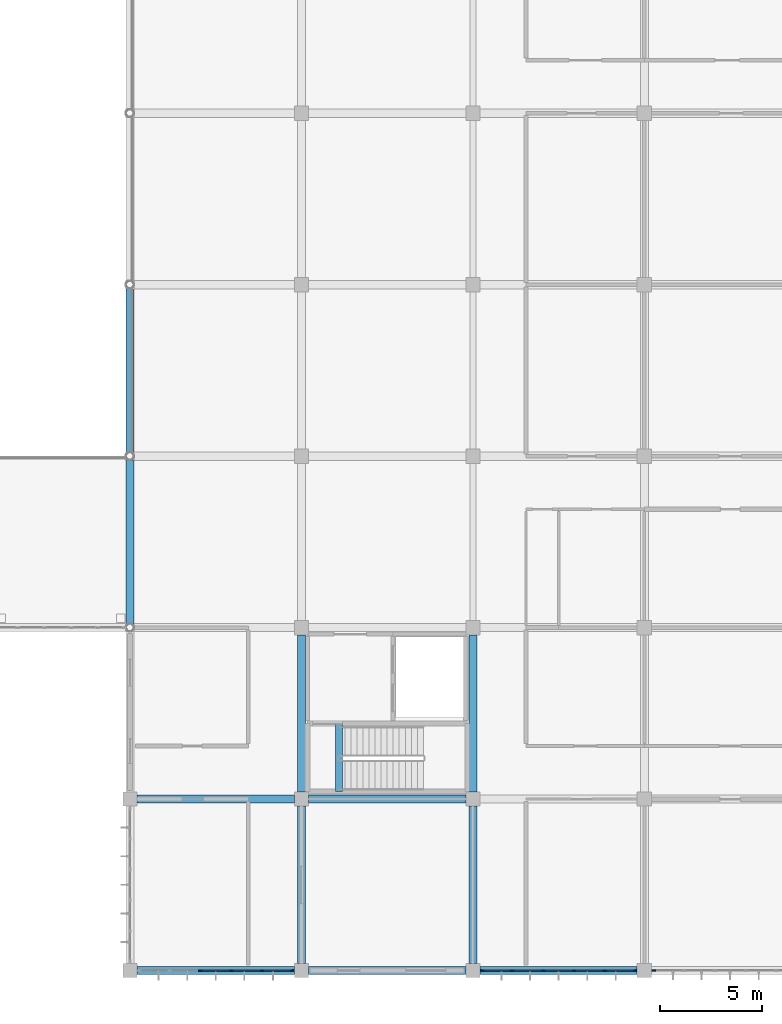
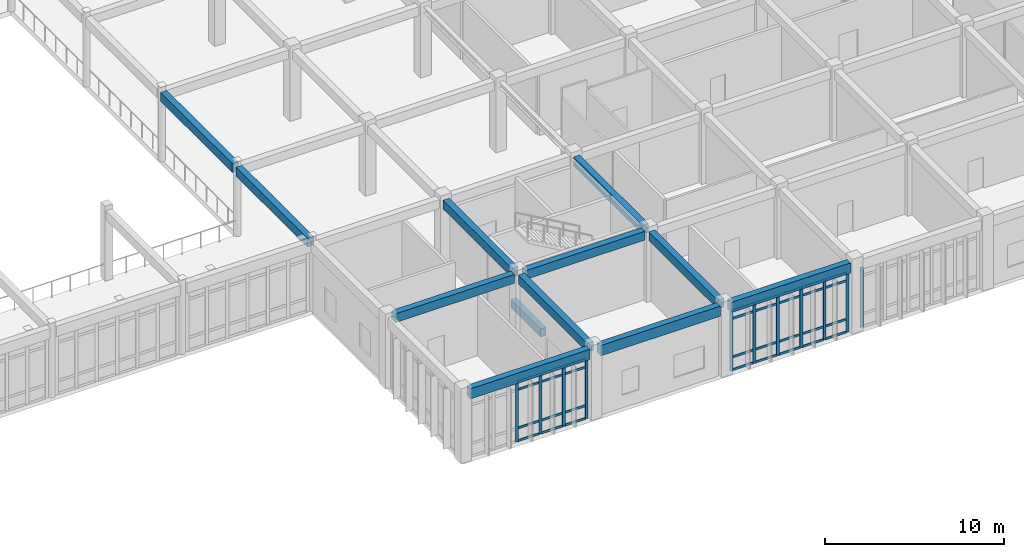
# One storey, part 22 of 134: 43 members, 12 beams, 3 elements without a shape of their own.
"""IFC4 building model written with IfcOpenShell, lengths in metres."""

from ifc_helpers import new_model, si_unit, direction, frame, origin, origin_2d, place, context, subcontext, project, spatial, rectangle, extrude, material, layer, layer_set, material_profile, profile_set, type_object, element, aggregate, save


model = new_model("IFC4")

# Units and contexts
model_context = context("Model", 3, precision=1e-05, world=origin(), true_north=direction((0.0, 1.0)))
body_context = subcontext(model_context, "Body", "Model", "MODEL_VIEW")
ifc_project = project(units=[si_unit("LENGTHUNIT", "METRE"), si_unit("AREAUNIT", "SQUARE_METRE"), si_unit("VOLUMEUNIT", "CUBIC_METRE"), si_unit("PLANEANGLEUNIT", "RADIAN"), si_unit("MASSUNIT", "GRAM", prefix="KILO")], contexts=[model_context])

# Site, building, storey
site_placement = place(None, origin())
site = spatial("IfcSite", under=ifc_project, at=site_placement, CompositionType="ELEMENT")
building_placement = place(site_placement, origin())
building = spatial("IfcBuilding", under=site, at=building_placement, Name="Bramfleet General Hospital", CompositionType="ELEMENT")
storey_placement = place(building_placement, frame((0.0, 0.0, 9.300048828125)))
storey = spatial("IfcBuildingStorey", under=building, at=storey_placement, Name="L02", CompositionType="ELEMENT", Elevation=9.300048828125)

# Beams
ifc_material_1 = material(Name="Concrete C35/45", Category="concrete")
ifc_material_profile_1 = material_profile(ifc_material_1, rectangle(XDim=0.35009765625, YDim=0.550048828125, at=origin_2d()), Name="RC BM 550x350")
ifc_profile_set_1 = profile_set([ifc_material_profile_1], Name="Concrete C35/45")
beam_type_1 = type_object("IfcBeamType", Name="BM-RC550", PredefinedType="BEAM", material=ifc_profile_set_1)
beam_1_placement = place(storey_placement, frame((102.639892578125, 8.780029296875, -0.275146484375), z_axis=(0.0, 1.0, 0.0), x_axis=(-1.0, 0.0, 0.0)))
element("IfcBeam", 1, at=beam_1_placement, inside=storey, type_object=beam_type_1, Name="L02 C3 Stairwell Trimmer Beam", PredefinedType="BEAM", context=body_context, shape_type="SweptSolid", body=[
    extrude(rectangle(XDim=0.35009765625, YDim=0.550048828125, at=origin_2d()), origin(), (0.0, 0.0, 1.0), 3.320068359375),
])
ifc_material_profile_2 = material_profile(ifc_material_1, rectangle(XDim=0.39990234375, YDim=0.60009765625, at=origin_2d()), Name="RC BM 600x400")
ifc_profile_set_2 = profile_set([ifc_material_profile_2], Name="Concrete C35/45")
beam_type_2 = type_object("IfcBeamType", Name="BM-RC600", PredefinedType="BEAM", material=ifc_profile_set_2)
beam_2_placement = place(storey_placement, frame((92.75, 8.39990234375, 4.47998046875), z_axis=(1.0, 0.0, 0.0), x_axis=(0.0, 1.0, 0.0)))
element("IfcBeam", 2, at=beam_2_placement, inside=storey, type_object=beam_type_2, Name="L02 Grid Beam X 11-01", PredefinedType="BEAM", context=body_context, shape_type="SweptSolid", body=[
    extrude(rectangle(XDim=0.39990234375, YDim=0.60009765625, at=origin_2d()), origin(), (0.0, 0.0, 1.0), 7.699951171875),
])
beam_3_placement = place(storey_placement, frame((101.14990234375, 8.39990234375, 4.47998046875), z_axis=(1.0, 0.0, 0.0), x_axis=(0.0, 1.0, 0.0)))
element("IfcBeam", 3, at=beam_3_placement, inside=storey, type_object=beam_type_2, Name="L02 Grid Beam X 12-01", PredefinedType="BEAM", context=body_context, shape_type="SweptSolid", body=[
    extrude(rectangle(XDim=0.39990234375, YDim=0.60009765625, at=origin_2d()), origin(), (0.0, 0.0, 1.0), 7.7001953125),
])
beam_4_placement = place(storey_placement, frame((92.39990234375, 17.003173828125, 4.47998046875), z_axis=(0.0, 1.0, 0.0), x_axis=(-1.0, 0.0, 0.0)))
element("IfcBeam", 4, at=beam_4_placement, inside=storey, type_object=beam_type_2, Name="L02 Grid Beam Y 11-02", PredefinedType="BEAM", context=body_context, shape_type="SweptSolid", body=[
    extrude(rectangle(XDim=0.39990234375, YDim=0.60009765625, at=origin_2d()), origin(), (0.0, 0.0, 1.0), 7.99365234375),
])
beam_5_placement = place(storey_placement, frame((92.39990234375, 25.4033203125, 4.47998046875), z_axis=(0.0, 1.0, 0.0), x_axis=(-1.0, 0.0, 0.0)))
element("IfcBeam", 5, at=beam_5_placement, inside=storey, type_object=beam_type_2, Name="L02 Grid Beam Y 11-03", PredefinedType="BEAM", context=body_context, shape_type="SweptSolid", body=[
    extrude(rectangle(XDim=0.39990234375, YDim=0.60009765625, at=origin_2d()), origin(), (0.0, 0.0, 1.0), 7.993408203125),
])
for number, where, z_axis, x_axis, name in (
    (6, (100.800048828125, 0.35009765625, 4.47998046875), (0.0, 1.0, 0.0), (-1.0, 0.0, 0.0), "L02 Grid Beam Y 12-00"),
    (7, (100.800048828125, 8.75, 4.47998046875), (0.0, 1.0, 0.0), (-1.0, 0.0, 0.0), "L02 Grid Beam Y 12-01"),
    (8, (109.199951171875, 0.35009765625, 4.47998046875), (0.0, 1.0, 0.0), (-1.0, 0.0, 0.0), "L02 Grid Beam Y 13-00"),
    (9, (109.199951171875, 8.75, 4.47998046875), (0.0, 1.0, 0.0), (-1.0, 0.0, 0.0), "L02 Grid Beam Y 13-01"),
):
    element("IfcBeam", number, at=place(storey_placement, frame(where, z_axis=z_axis, x_axis=x_axis)), inside=storey, type_object=beam_type_2, Name=name, PredefinedType="BEAM", context=body_context, shape_type="SweptSolid", body=[
        extrude(rectangle(XDim=0.39990234375, YDim=0.60009765625, at=origin_2d()), origin(), (0.0, 0.0, 1.0), 7.699951171875),
    ])
ifc_material_profile_3 = material_profile(ifc_material_1, rectangle(XDim=0.39990234375, YDim=0.699951171875, at=origin_2d()), Name="RC SP 700x400")
ifc_profile_set_3 = profile_set([ifc_material_profile_3], Name="Concrete C35/45")
beam_type_3 = type_object("IfcBeamType", Name="BM-SP700", PredefinedType="SPANDREL", material=ifc_profile_set_3)
beam_6_placement = place(storey_placement, frame((92.75, 0.0, 4.429931640625), z_axis=(1.0, 0.0, 0.0), x_axis=(0.0, 1.0, 0.0)))
element("IfcBeam", 10, at=beam_6_placement, inside=storey, type_object=beam_type_3, Name="L02 Grid Beam X 11-00", PredefinedType="SPANDREL", context=body_context, shape_type="SweptSolid", body=[
    extrude(rectangle(XDim=0.39990234375, YDim=0.699951171875, at=origin_2d()), origin(), (0.0, 0.0, 1.0), 7.699951171875),
])
beam_7_placement = place(storey_placement, frame((101.14990234375, 0.0, 4.429931640625), z_axis=(1.0, 0.0, 0.0), x_axis=(0.0, 1.0, 0.0)))
element("IfcBeam", 11, at=beam_7_placement, inside=storey, type_object=beam_type_3, Name="L02 Grid Beam X 12-00", PredefinedType="SPANDREL", context=body_context, shape_type="SweptSolid", body=[
    extrude(rectangle(XDim=0.39990234375, YDim=0.699951171875, at=origin_2d()), origin(), (0.0, 0.0, 1.0), 7.7001953125),
])
beam_8_placement = place(storey_placement, frame((109.550048828125, 0.0, 4.429931640625), z_axis=(1.0, 0.0, 0.0), x_axis=(0.0, 1.0, 0.0)))
element("IfcBeam", 12, at=beam_8_placement, inside=storey, type_object=beam_type_3, Name="L02 Grid Beam X 13-00", PredefinedType="SPANDREL", context=body_context, shape_type="SweptSolid", body=[
    extrude(rectangle(XDim=0.39990234375, YDim=0.699951171875, at=origin_2d()), origin(), (0.0, 0.0, 1.0), 7.699951171875),
])

# Curtain wall, member
ifc_material_2 = material(Name="Anodised aluminium and low-E triple glazing", Category="aluminium")
ifc_layer_1 = layer(ifc_material_2, 0.179931640625, Name="CWT-CW-17")
ifc_layer_set_1 = layer_set([ifc_layer_1], Name="Anodised aluminium and low-E triple glazing")
curtain_wall_type_1 = type_object("IfcCurtainWallType", Name="CWT-CW-17", PredefinedType="USERDEFINED", material=ifc_layer_set_1)
curtain_wall_1_placement = place(storey_placement, origin())
curtain_wall_1 = element("IfcCurtainWall", 13, at=curtain_wall_1_placement, inside=storey, type_object=curtain_wall_type_1, Name="L02 Curtain Wall 125", ObjectType="Stick curtain wall", PredefinedType="USERDEFINED")
ifc_material_3 = material(Name="Structural timber GL28h", Category="wood")
ifc_material_profile_4 = material_profile(ifc_material_3, rectangle(XDim=0.070068359375, YDim=0.18994140625, at=origin_2d()), Name="LARCH 190x70")
ifc_profile_set_4 = profile_set([ifc_material_profile_4], Name="Structural timber GL28h")
member_type_1 = type_object("IfcMemberType", Name="CWM-LARCH450", PredefinedType="MULLION", material=ifc_profile_set_4)
member_1_placement = place(storey_placement, frame((118.06005859375, 0.0, 0.0), z_axis=(0.0, 0.0, 1.0), x_axis=(0.0, -1.0, 0.0)))
member_1 = element("IfcMember", 14, at=member_1_placement, type_object=member_type_1, Name="CW-17 mullion 6", PredefinedType="MULLION", context=body_context, shape_type="SweptSolid", body=[
    extrude(rectangle(XDim=0.070068359375, YDim=0.18994140625, at=origin_2d()), origin(), (0.0, 0.0, 1.0), 4.070068359375),
])
aggregate(curtain_wall_1, [member_1])

# Curtain wall, members
ifc_layer_2 = layer(ifc_material_2, 0.179931640625, Name="CWT-CW-18")
ifc_layer_set_2 = layer_set([ifc_layer_2], Name="Anodised aluminium and low-E triple glazing")
curtain_wall_type_2 = type_object("IfcCurtainWallType", Name="CWT-CW-18", PredefinedType="USERDEFINED", material=ifc_layer_set_2)
curtain_wall_2_placement = place(storey_placement, origin())
curtain_wall_2 = element("IfcCurtainWall", 15, at=curtain_wall_2_placement, inside=storey, type_object=curtain_wall_type_2, Name="L02 Curtain Wall 126", ObjectType="Stick curtain wall", PredefinedType="USERDEFINED")
member_2_placement = place(storey_placement, frame((117.139892578125, 0.0, 0.0), z_axis=(0.0, 0.0, 1.0), x_axis=(0.0, -1.0, 0.0)))
member_2 = element("IfcMember", 16, at=member_2_placement, type_object=member_type_1, Name="CW-18 mullion 1", PredefinedType="MULLION", context=body_context, shape_type="SweptSolid", body=[
    extrude(rectangle(XDim=0.070068359375, YDim=0.18994140625, at=origin_2d()), origin(), (0.0, 0.0, 1.0), 4.070068359375),
])
member_3_placement = place(storey_placement, frame((115.6650390625, 0.0, 0.0), z_axis=(0.0, 0.0, 1.0), x_axis=(0.0, -1.0, 0.0)))
member_3 = element("IfcMember", 17, at=member_3_placement, type_object=member_type_1, Name="CW-18 mullion 2", PredefinedType="MULLION", context=body_context, shape_type="SweptSolid", body=[
    extrude(rectangle(XDim=0.070068359375, YDim=0.18994140625, at=origin_2d()), origin(), (0.0, 0.0, 1.0), 4.070068359375),
])
member_4_placement = place(storey_placement, frame((114.155029296875, 0.0, 0.0), z_axis=(0.0, 0.0, 1.0), x_axis=(0.0, -1.0, 0.0)))
member_4 = element("IfcMember", 18, at=member_4_placement, type_object=member_type_1, Name="CW-18 mullion 3", PredefinedType="MULLION", context=body_context, shape_type="SweptSolid", body=[
    extrude(rectangle(XDim=0.070068359375, YDim=0.18994140625, at=origin_2d()), origin(), (0.0, 0.0, 1.0), 4.070068359375),
])
member_5_placement = place(storey_placement, frame((112.64501953125, 0.0, 0.0), z_axis=(0.0, 0.0, 1.0), x_axis=(0.0, -1.0, 0.0)))
member_5 = element("IfcMember", 19, at=member_5_placement, type_object=member_type_1, Name="CW-18 mullion 4", PredefinedType="MULLION", context=body_context, shape_type="SweptSolid", body=[
    extrude(rectangle(XDim=0.070068359375, YDim=0.18994140625, at=origin_2d()), origin(), (0.0, 0.0, 1.0), 4.070068359375),
])
member_6_placement = place(storey_placement, frame((111.135009765625, 0.0, 0.0), z_axis=(0.0, 0.0, 1.0), x_axis=(0.0, -1.0, 0.0)))
member_6 = element("IfcMember", 20, at=member_6_placement, type_object=member_type_1, Name="CW-18 mullion 5", PredefinedType="MULLION", context=body_context, shape_type="SweptSolid", body=[
    extrude(rectangle(XDim=0.070068359375, YDim=0.18994140625, at=origin_2d()), origin(), (0.0, 0.0, 1.0), 4.070068359375),
])
member_7_placement = place(storey_placement, frame((109.659912109375, 0.0, 0.0), z_axis=(0.0, 0.0, 1.0), x_axis=(0.0, -1.0, 0.0)))
member_7 = element("IfcMember", 21, at=member_7_placement, type_object=member_type_1, Name="CW-18 mullion 6", PredefinedType="MULLION", context=body_context, shape_type="SweptSolid", body=[
    extrude(rectangle(XDim=0.070068359375, YDim=0.18994140625, at=origin_2d()), origin(), (0.0, 0.0, 1.0), 4.070068359375),
])

ifc_layer_3 = layer(ifc_material_2, 0.179931640625, Name="CWT-CW-01")
ifc_layer_set_3 = layer_set([ifc_layer_3], Name="Anodised aluminium and low-E triple glazing")
curtain_wall_type_3 = type_object("IfcCurtainWallType", Name="CWT-CW-01", PredefinedType="USERDEFINED", material=ifc_layer_set_3)
curtain_wall_3_placement = place(storey_placement, origin())
curtain_wall_3 = element("IfcCurtainWall", 22, at=curtain_wall_3_placement, inside=storey, type_object=curtain_wall_type_3, Name="L02 Curtain Wall 127", ObjectType="Unitised curtain wall", PredefinedType="USERDEFINED")
member_8_placement = place(storey_placement, frame((100.340087890625, 0.0, 0.0), z_axis=(0.0, 0.0, 1.0), x_axis=(0.0, -1.0, 0.0)))
member_8 = element("IfcMember", 23, at=member_8_placement, type_object=member_type_1, Name="CW-01 mullion 1", PredefinedType="MULLION", context=body_context, shape_type="SweptSolid", body=[
    extrude(rectangle(XDim=0.070068359375, YDim=0.18994140625, at=origin_2d()), origin(), (0.0, 0.0, 1.0), 4.070068359375),
])
member_9_placement = place(storey_placement, frame((98.864990234375, 0.0, 0.0), z_axis=(0.0, 0.0, 1.0), x_axis=(0.0, -1.0, 0.0)))
member_9 = element("IfcMember", 24, at=member_9_placement, type_object=member_type_1, Name="CW-01 mullion 2", PredefinedType="MULLION", context=body_context, shape_type="SweptSolid", body=[
    extrude(rectangle(XDim=0.070068359375, YDim=0.18994140625, at=origin_2d()), origin(), (0.0, 0.0, 1.0), 4.070068359375),
])
member_10_placement = place(storey_placement, frame((97.35498046875, 0.0, 0.0), z_axis=(0.0, 0.0, 1.0), x_axis=(0.0, -1.0, 0.0)))
member_10 = element("IfcMember", 25, at=member_10_placement, type_object=member_type_1, Name="CW-01 mullion 3", PredefinedType="MULLION", context=body_context, shape_type="SweptSolid", body=[
    extrude(rectangle(XDim=0.070068359375, YDim=0.18994140625, at=origin_2d()), origin(), (0.0, 0.0, 1.0), 4.070068359375),
])
member_11_placement = place(storey_placement, frame((95.844970703125, 0.0, 0.0), z_axis=(0.0, 0.0, 1.0), x_axis=(0.0, -1.0, 0.0)))
member_11 = element("IfcMember", 26, at=member_11_placement, type_object=member_type_1, Name="CW-01 mullion 4", PredefinedType="MULLION", context=body_context, shape_type="SweptSolid", body=[
    extrude(rectangle(XDim=0.070068359375, YDim=0.18994140625, at=origin_2d()), origin(), (0.0, 0.0, 1.0), 4.070068359375),
])

# Member
ifc_material_profile_5 = material_profile(ifc_material_3, rectangle(XDim=0.06494140625, YDim=0.14990234375, at=origin_2d()), Name="LARCH 150x65")
ifc_profile_set_5 = profile_set([ifc_material_profile_5], Name="Structural timber GL28h")
member_type_2 = type_object("IfcMemberType", Name="CWT-LARCH220", PredefinedType="USERDEFINED", material=ifc_profile_set_5)
member_12_placement = place(storey_placement, frame((117.10498046875, 0.0, 0.032470703125), z_axis=(-1.0, 0.0, 0.0), x_axis=(0.0, -1.0, 0.0)))
member_12 = element("IfcMember", 27, at=member_12_placement, type_object=member_type_2, Name="CW-18 transom 1.1", ObjectType="TRANSOM", PredefinedType="USERDEFINED", context=body_context, shape_type="SweptSolid", body=[
    extrude(rectangle(XDim=0.06494140625, YDim=0.14990234375, at=origin_2d()), origin(), (0.0, 0.0, 1.0), 1.405029296875),
])

member_13_placement = place(storey_placement, frame((117.10498046875, 0.0, 0.89990234375), z_axis=(-1.0, 0.0, 0.0), x_axis=(0.0, -1.0, 0.0)))
member_13 = element("IfcMember", 28, at=member_13_placement, type_object=member_type_2, Name="CW-18 transom 1.2", ObjectType="TRANSOM", PredefinedType="USERDEFINED", context=body_context, shape_type="SweptSolid", body=[
    extrude(rectangle(XDim=0.06494140625, YDim=0.14990234375, at=origin_2d()), origin(), (0.0, 0.0, 1.0), 1.405029296875),
])

member_14_placement = place(storey_placement, frame((117.10498046875, 0.0, 3.52001953125), z_axis=(-1.0, 0.0, 0.0), x_axis=(0.0, -1.0, 0.0)))
member_14 = element("IfcMember", 29, at=member_14_placement, type_object=member_type_2, Name="CW-18 transom 1.3", ObjectType="TRANSOM", PredefinedType="USERDEFINED", context=body_context, shape_type="SweptSolid", body=[
    extrude(rectangle(XDim=0.06494140625, YDim=0.14990234375, at=origin_2d()), origin(), (0.0, 0.0, 1.0), 1.405029296875),
])

member_15_placement = place(storey_placement, frame((117.10498046875, 0.0, 4.037353515625), z_axis=(-1.0, 0.0, 0.0), x_axis=(0.0, -1.0, 0.0)))
member_15 = element("IfcMember", 30, at=member_15_placement, type_object=member_type_2, Name="CW-18 transom 1.4", ObjectType="TRANSOM", PredefinedType="USERDEFINED", context=body_context, shape_type="SweptSolid", body=[
    extrude(rectangle(XDim=0.06494140625, YDim=0.14990234375, at=origin_2d()), origin(), (0.0, 0.0, 1.0), 1.405029296875),
])

member_16_placement = place(storey_placement, frame((115.6298828125, 0.0, 0.032470703125), z_axis=(-1.0, 0.0, 0.0), x_axis=(0.0, -1.0, 0.0)))
member_16 = element("IfcMember", 31, at=member_16_placement, type_object=member_type_2, Name="CW-18 transom 2.1", ObjectType="TRANSOM", PredefinedType="USERDEFINED", context=body_context, shape_type="SweptSolid", body=[
    extrude(rectangle(XDim=0.06494140625, YDim=0.14990234375, at=origin_2d()), origin(), (0.0, 0.0, 1.0), 1.43994140625),
])

member_17_placement = place(storey_placement, frame((115.6298828125, 0.0, 0.89990234375), z_axis=(-1.0, 0.0, 0.0), x_axis=(0.0, -1.0, 0.0)))
member_17 = element("IfcMember", 32, at=member_17_placement, type_object=member_type_2, Name="CW-18 transom 2.2", ObjectType="TRANSOM", PredefinedType="USERDEFINED", context=body_context, shape_type="SweptSolid", body=[
    extrude(rectangle(XDim=0.06494140625, YDim=0.14990234375, at=origin_2d()), origin(), (0.0, 0.0, 1.0), 1.43994140625),
])

member_18_placement = place(storey_placement, frame((115.6298828125, 0.0, 3.52001953125), z_axis=(-1.0, 0.0, 0.0), x_axis=(0.0, -1.0, 0.0)))
member_18 = element("IfcMember", 33, at=member_18_placement, type_object=member_type_2, Name="CW-18 transom 2.3", ObjectType="TRANSOM", PredefinedType="USERDEFINED", context=body_context, shape_type="SweptSolid", body=[
    extrude(rectangle(XDim=0.06494140625, YDim=0.14990234375, at=origin_2d()), origin(), (0.0, 0.0, 1.0), 1.43994140625),
])

member_19_placement = place(storey_placement, frame((115.6298828125, 0.0, 4.037353515625), z_axis=(-1.0, 0.0, 0.0), x_axis=(0.0, -1.0, 0.0)))
member_19 = element("IfcMember", 34, at=member_19_placement, type_object=member_type_2, Name="CW-18 transom 2.4", ObjectType="TRANSOM", PredefinedType="USERDEFINED", context=body_context, shape_type="SweptSolid", body=[
    extrude(rectangle(XDim=0.06494140625, YDim=0.14990234375, at=origin_2d()), origin(), (0.0, 0.0, 1.0), 1.43994140625),
])

member_20_placement = place(storey_placement, frame((114.1201171875, 0.0, 0.032470703125), z_axis=(-1.0, 0.0, 0.0), x_axis=(0.0, -1.0, 0.0)))
member_20 = element("IfcMember", 35, at=member_20_placement, type_object=member_type_2, Name="CW-18 transom 3.1", ObjectType="TRANSOM", PredefinedType="USERDEFINED", context=body_context, shape_type="SweptSolid", body=[
    extrude(rectangle(XDim=0.06494140625, YDim=0.14990234375, at=origin_2d()), origin(), (0.0, 0.0, 1.0), 1.440185546875),
])

member_21_placement = place(storey_placement, frame((114.1201171875, 0.0, 0.89990234375), z_axis=(-1.0, 0.0, 0.0), x_axis=(0.0, -1.0, 0.0)))
member_21 = element("IfcMember", 36, at=member_21_placement, type_object=member_type_2, Name="CW-18 transom 3.2", ObjectType="TRANSOM", PredefinedType="USERDEFINED", context=body_context, shape_type="SweptSolid", body=[
    extrude(rectangle(XDim=0.06494140625, YDim=0.14990234375, at=origin_2d()), origin(), (0.0, 0.0, 1.0), 1.440185546875),
])

member_22_placement = place(storey_placement, frame((114.1201171875, 0.0, 3.52001953125), z_axis=(-1.0, 0.0, 0.0), x_axis=(0.0, -1.0, 0.0)))
member_22 = element("IfcMember", 37, at=member_22_placement, type_object=member_type_2, Name="CW-18 transom 3.3", ObjectType="TRANSOM", PredefinedType="USERDEFINED", context=body_context, shape_type="SweptSolid", body=[
    extrude(rectangle(XDim=0.06494140625, YDim=0.14990234375, at=origin_2d()), origin(), (0.0, 0.0, 1.0), 1.440185546875),
])

member_23_placement = place(storey_placement, frame((114.1201171875, 0.0, 4.037353515625), z_axis=(-1.0, 0.0, 0.0), x_axis=(0.0, -1.0, 0.0)))
member_23 = element("IfcMember", 38, at=member_23_placement, type_object=member_type_2, Name="CW-18 transom 3.4", ObjectType="TRANSOM", PredefinedType="USERDEFINED", context=body_context, shape_type="SweptSolid", body=[
    extrude(rectangle(XDim=0.06494140625, YDim=0.14990234375, at=origin_2d()), origin(), (0.0, 0.0, 1.0), 1.440185546875),
])

member_24_placement = place(storey_placement, frame((112.610107421875, 0.0, 0.032470703125), z_axis=(-1.0, 0.0, 0.0), x_axis=(0.0, -1.0, 0.0)))
member_24 = element("IfcMember", 39, at=member_24_placement, type_object=member_type_2, Name="CW-18 transom 4.1", ObjectType="TRANSOM", PredefinedType="USERDEFINED", context=body_context, shape_type="SweptSolid", body=[
    extrude(rectangle(XDim=0.06494140625, YDim=0.14990234375, at=origin_2d()), origin(), (0.0, 0.0, 1.0), 1.440185546875),
])

member_25_placement = place(storey_placement, frame((112.610107421875, 0.0, 0.89990234375), z_axis=(-1.0, 0.0, 0.0), x_axis=(0.0, -1.0, 0.0)))
member_25 = element("IfcMember", 40, at=member_25_placement, type_object=member_type_2, Name="CW-18 transom 4.2", ObjectType="TRANSOM", PredefinedType="USERDEFINED", context=body_context, shape_type="SweptSolid", body=[
    extrude(rectangle(XDim=0.06494140625, YDim=0.14990234375, at=origin_2d()), origin(), (0.0, 0.0, 1.0), 1.440185546875),
])

member_26_placement = place(storey_placement, frame((112.610107421875, 0.0, 3.52001953125), z_axis=(-1.0, 0.0, 0.0), x_axis=(0.0, -1.0, 0.0)))
member_26 = element("IfcMember", 41, at=member_26_placement, type_object=member_type_2, Name="CW-18 transom 4.3", ObjectType="TRANSOM", PredefinedType="USERDEFINED", context=body_context, shape_type="SweptSolid", body=[
    extrude(rectangle(XDim=0.06494140625, YDim=0.14990234375, at=origin_2d()), origin(), (0.0, 0.0, 1.0), 1.440185546875),
])

member_27_placement = place(storey_placement, frame((112.610107421875, 0.0, 4.037353515625), z_axis=(-1.0, 0.0, 0.0), x_axis=(0.0, -1.0, 0.0)))
member_27 = element("IfcMember", 42, at=member_27_placement, type_object=member_type_2, Name="CW-18 transom 4.4", ObjectType="TRANSOM", PredefinedType="USERDEFINED", context=body_context, shape_type="SweptSolid", body=[
    extrude(rectangle(XDim=0.06494140625, YDim=0.14990234375, at=origin_2d()), origin(), (0.0, 0.0, 1.0), 1.440185546875),
])

member_28_placement = place(storey_placement, frame((111.10009765625, 0.0, 0.032470703125), z_axis=(-1.0, 0.0, 0.0), x_axis=(0.0, -1.0, 0.0)))
member_28 = element("IfcMember", 43, at=member_28_placement, type_object=member_type_2, Name="CW-18 transom 5.1", ObjectType="TRANSOM", PredefinedType="USERDEFINED", context=body_context, shape_type="SweptSolid", body=[
    extrude(rectangle(XDim=0.06494140625, YDim=0.14990234375, at=origin_2d()), origin(), (0.0, 0.0, 1.0), 1.405029296875),
])

member_29_placement = place(storey_placement, frame((111.10009765625, 0.0, 0.89990234375), z_axis=(-1.0, 0.0, 0.0), x_axis=(0.0, -1.0, 0.0)))
member_29 = element("IfcMember", 44, at=member_29_placement, type_object=member_type_2, Name="CW-18 transom 5.2", ObjectType="TRANSOM", PredefinedType="USERDEFINED", context=body_context, shape_type="SweptSolid", body=[
    extrude(rectangle(XDim=0.06494140625, YDim=0.14990234375, at=origin_2d()), origin(), (0.0, 0.0, 1.0), 1.405029296875),
])

member_30_placement = place(storey_placement, frame((111.10009765625, 0.0, 3.52001953125), z_axis=(-1.0, 0.0, 0.0), x_axis=(0.0, -1.0, 0.0)))
member_30 = element("IfcMember", 45, at=member_30_placement, type_object=member_type_2, Name="CW-18 transom 5.3", ObjectType="TRANSOM", PredefinedType="USERDEFINED", context=body_context, shape_type="SweptSolid", body=[
    extrude(rectangle(XDim=0.06494140625, YDim=0.14990234375, at=origin_2d()), origin(), (0.0, 0.0, 1.0), 1.405029296875),
])

member_31_placement = place(storey_placement, frame((111.10009765625, 0.0, 4.037353515625), z_axis=(-1.0, 0.0, 0.0), x_axis=(0.0, -1.0, 0.0)))
member_31 = element("IfcMember", 46, at=member_31_placement, type_object=member_type_2, Name="CW-18 transom 5.4", ObjectType="TRANSOM", PredefinedType="USERDEFINED", context=body_context, shape_type="SweptSolid", body=[
    extrude(rectangle(XDim=0.06494140625, YDim=0.14990234375, at=origin_2d()), origin(), (0.0, 0.0, 1.0), 1.405029296875),
])

aggregate(curtain_wall_2, [member_2, member_3, member_4, member_5, member_6, member_7, member_12, member_13, member_14, member_15, member_16, member_17, member_18, member_19, member_20, member_21, member_22, member_23, member_24, member_25, member_26, member_27, member_28, member_29, member_30, member_31])

member_32_placement = place(storey_placement, frame((100.304931640625, 0.0, 0.032470703125), z_axis=(-1.0, 0.0, 0.0), x_axis=(0.0, -1.0, 0.0)))
member_32 = element("IfcMember", 47, at=member_32_placement, type_object=member_type_2, Name="CW-01 transom 1.1", ObjectType="TRANSOM", PredefinedType="USERDEFINED", context=body_context, shape_type="SweptSolid", body=[
    extrude(rectangle(XDim=0.06494140625, YDim=0.14990234375, at=origin_2d()), origin(), (0.0, 0.0, 1.0), 1.405029296875),
])

member_33_placement = place(storey_placement, frame((100.304931640625, 0.0, 0.89990234375), z_axis=(-1.0, 0.0, 0.0), x_axis=(0.0, -1.0, 0.0)))
member_33 = element("IfcMember", 48, at=member_33_placement, type_object=member_type_2, Name="CW-01 transom 1.2", ObjectType="TRANSOM", PredefinedType="USERDEFINED", context=body_context, shape_type="SweptSolid", body=[
    extrude(rectangle(XDim=0.06494140625, YDim=0.14990234375, at=origin_2d()), origin(), (0.0, 0.0, 1.0), 1.405029296875),
])

member_34_placement = place(storey_placement, frame((100.304931640625, 0.0, 3.52001953125), z_axis=(-1.0, 0.0, 0.0), x_axis=(0.0, -1.0, 0.0)))
member_34 = element("IfcMember", 49, at=member_34_placement, type_object=member_type_2, Name="CW-01 transom 1.3", ObjectType="TRANSOM", PredefinedType="USERDEFINED", context=body_context, shape_type="SweptSolid", body=[
    extrude(rectangle(XDim=0.06494140625, YDim=0.14990234375, at=origin_2d()), origin(), (0.0, 0.0, 1.0), 1.405029296875),
])

member_35_placement = place(storey_placement, frame((100.304931640625, 0.0, 4.037353515625), z_axis=(-1.0, 0.0, 0.0), x_axis=(0.0, -1.0, 0.0)))
member_35 = element("IfcMember", 50, at=member_35_placement, type_object=member_type_2, Name="CW-01 transom 1.4", ObjectType="TRANSOM", PredefinedType="USERDEFINED", context=body_context, shape_type="SweptSolid", body=[
    extrude(rectangle(XDim=0.06494140625, YDim=0.14990234375, at=origin_2d()), origin(), (0.0, 0.0, 1.0), 1.405029296875),
])

member_36_placement = place(storey_placement, frame((98.830078125, 0.0, 0.032470703125), z_axis=(-1.0, 0.0, 0.0), x_axis=(0.0, -1.0, 0.0)))
member_36 = element("IfcMember", 51, at=member_36_placement, type_object=member_type_2, Name="CW-01 transom 2.1", ObjectType="TRANSOM", PredefinedType="USERDEFINED", context=body_context, shape_type="SweptSolid", body=[
    extrude(rectangle(XDim=0.06494140625, YDim=0.14990234375, at=origin_2d()), origin(), (0.0, 0.0, 1.0), 1.440185546875),
])

member_37_placement = place(storey_placement, frame((98.830078125, 0.0, 0.89990234375), z_axis=(-1.0, 0.0, 0.0), x_axis=(0.0, -1.0, 0.0)))
member_37 = element("IfcMember", 52, at=member_37_placement, type_object=member_type_2, Name="CW-01 transom 2.2", ObjectType="TRANSOM", PredefinedType="USERDEFINED", context=body_context, shape_type="SweptSolid", body=[
    extrude(rectangle(XDim=0.06494140625, YDim=0.14990234375, at=origin_2d()), origin(), (0.0, 0.0, 1.0), 1.440185546875),
])

member_38_placement = place(storey_placement, frame((98.830078125, 0.0, 3.52001953125), z_axis=(-1.0, 0.0, 0.0), x_axis=(0.0, -1.0, 0.0)))
member_38 = element("IfcMember", 53, at=member_38_placement, type_object=member_type_2, Name="CW-01 transom 2.3", ObjectType="TRANSOM", PredefinedType="USERDEFINED", context=body_context, shape_type="SweptSolid", body=[
    extrude(rectangle(XDim=0.06494140625, YDim=0.14990234375, at=origin_2d()), origin(), (0.0, 0.0, 1.0), 1.440185546875),
])

member_39_placement = place(storey_placement, frame((98.830078125, 0.0, 4.037353515625), z_axis=(-1.0, 0.0, 0.0), x_axis=(0.0, -1.0, 0.0)))
member_39 = element("IfcMember", 54, at=member_39_placement, type_object=member_type_2, Name="CW-01 transom 2.4", ObjectType="TRANSOM", PredefinedType="USERDEFINED", context=body_context, shape_type="SweptSolid", body=[
    extrude(rectangle(XDim=0.06494140625, YDim=0.14990234375, at=origin_2d()), origin(), (0.0, 0.0, 1.0), 1.440185546875),
])

member_40_placement = place(storey_placement, frame((97.320068359375, 0.0, 0.032470703125), z_axis=(-1.0, 0.0, 0.0), x_axis=(0.0, -1.0, 0.0)))
member_40 = element("IfcMember", 55, at=member_40_placement, type_object=member_type_2, Name="CW-01 transom 3.1", ObjectType="TRANSOM", PredefinedType="USERDEFINED", context=body_context, shape_type="SweptSolid", body=[
    extrude(rectangle(XDim=0.06494140625, YDim=0.14990234375, at=origin_2d()), origin(), (0.0, 0.0, 1.0), 1.440185546875),
])

member_41_placement = place(storey_placement, frame((97.320068359375, 0.0, 0.89990234375), z_axis=(-1.0, 0.0, 0.0), x_axis=(0.0, -1.0, 0.0)))
member_41 = element("IfcMember", 56, at=member_41_placement, type_object=member_type_2, Name="CW-01 transom 3.2", ObjectType="TRANSOM", PredefinedType="USERDEFINED", context=body_context, shape_type="SweptSolid", body=[
    extrude(rectangle(XDim=0.06494140625, YDim=0.14990234375, at=origin_2d()), origin(), (0.0, 0.0, 1.0), 1.440185546875),
])

member_42_placement = place(storey_placement, frame((97.320068359375, 0.0, 3.52001953125), z_axis=(-1.0, 0.0, 0.0), x_axis=(0.0, -1.0, 0.0)))
member_42 = element("IfcMember", 57, at=member_42_placement, type_object=member_type_2, Name="CW-01 transom 3.3", ObjectType="TRANSOM", PredefinedType="USERDEFINED", context=body_context, shape_type="SweptSolid", body=[
    extrude(rectangle(XDim=0.06494140625, YDim=0.14990234375, at=origin_2d()), origin(), (0.0, 0.0, 1.0), 1.440185546875),
])

member_43_placement = place(storey_placement, frame((97.320068359375, 0.0, 4.037353515625), z_axis=(-1.0, 0.0, 0.0), x_axis=(0.0, -1.0, 0.0)))
member_43 = element("IfcMember", 58, at=member_43_placement, type_object=member_type_2, Name="CW-01 transom 3.4", ObjectType="TRANSOM", PredefinedType="USERDEFINED", context=body_context, shape_type="SweptSolid", body=[
    extrude(rectangle(XDim=0.06494140625, YDim=0.14990234375, at=origin_2d()), origin(), (0.0, 0.0, 1.0), 1.440185546875),
])

aggregate(curtain_wall_3, [member_8, member_9, member_10, member_11, member_32, member_33, member_34, member_35, member_36, member_37, member_38, member_39, member_40, member_41, member_42, member_43])

save(model, "model.ifc")
